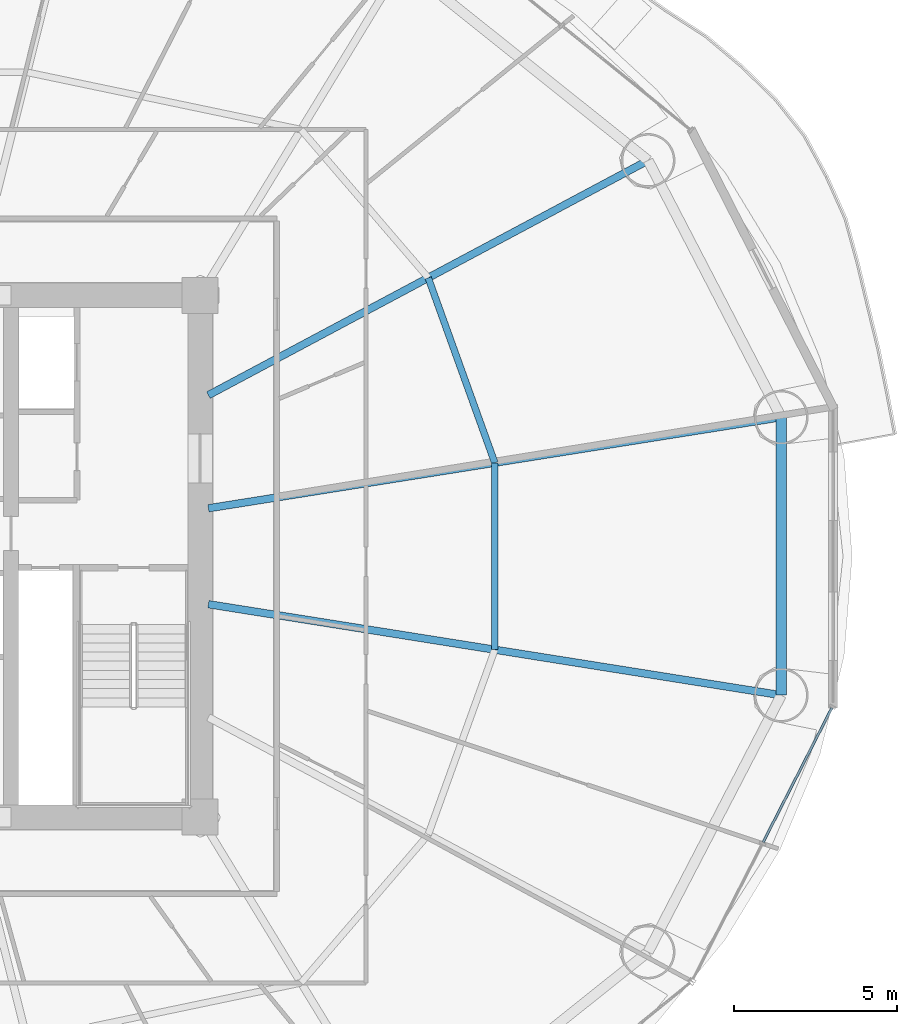
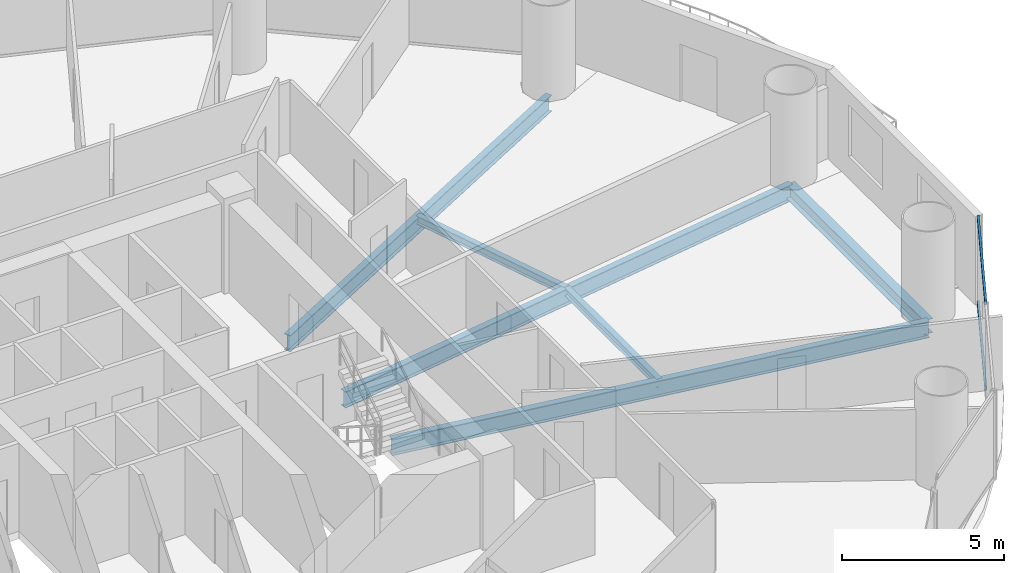
# One storey, part 11 of 28: 6 beams, 2 members, 1 element without a shape of its own.
"""IFC4 building model written with IfcOpenShell, lengths in metres."""

import ifcopenshell
import ifcopenshell.guid

model = None  # the IFC model being written
_history = None  # IfcOwnerHistory: only IFC2X3 demands one
_inside = {}  # id of a spatial element -> (the spatial element, [elements in it])
_under = {}  # id of a project, library or spatial element -> (it, [spatial elements below it])
_declared = {}  # id of a project -> (the project, [libraries it declares])
_typed = {}  # id of a type object -> (the type object, [elements of that type])
_made_of = {}  # id of a material, layer set ... -> (it, [elements and type objects made of it])


def new_model(schema):
    """Start an empty IFC model of exactly this schema.

    Asked for "IFC4X3", IfcOpenShell would pick the latest addendum, in which some entities
    have other attributes; the version numbers below select the first issue.
    IFC2X3 requires an IfcOwnerHistory on every rooted entity: one is made here for all.
    """
    global model, _history
    if schema == "IFC4X3":
        model = ifcopenshell.file(schema_version=(4, 3, 0, 0))
    else:
        model = ifcopenshell.file(schema=schema)
    _inside.clear()
    _under.clear()
    _declared.clear()
    _typed.clear()
    _made_of.clear()
    _history = None
    if model.schema == "IFC2X3":
        org = make("IfcOrganization", Name="unknown")
        user = make(
            "IfcPersonAndOrganization",
            ThePerson=make("IfcPerson", FamilyName="unknown"),
            TheOrganization=org,
        )
        app = make(
            "IfcApplication",
            ApplicationDeveloper=org,
            Version="unknown",
            ApplicationFullName="unknown",
            ApplicationIdentifier="unknown",
        )
        _history = make(
            "IfcOwnerHistory",
            OwningUser=user,
            OwningApplication=app,
            ChangeAction="ADDED",
            CreationDate=0,
        )
    return model


def make(cls, **values):
    """One entity of the class cls with the attributes given. An attribute that is None is left unset."""
    return model.create_entity(
        cls, **{name: value for name, value in values.items() if value is not None}
    )


def rooted(cls, **values):
    """An entity with a GlobalId (a new one), such as an element, a storey or a relation."""
    return make(cls, GlobalId=ifcopenshell.guid.new(), OwnerHistory=_history, **values)


def si_unit(unit_type, name, prefix=None):
    """IfcSIUnit, for example si_unit("LENGTHUNIT", "METRE", prefix="MILLI")."""
    return make("IfcSIUnit", UnitType=unit_type, Prefix=prefix, Name=name)


def assignment(units):
    """IfcUnitAssignment: the units of a project."""
    return None if units is None else make("IfcUnitAssignment", Units=units)


def point(xyz):
    """IfcCartesianPoint."""
    return None if xyz is None else make("IfcCartesianPoint", Coordinates=xyz)


def direction(xyz):
    """IfcDirection."""
    return None if xyz is None else make("IfcDirection", DirectionRatios=xyz)


def frame(location, z_axis=None, x_axis=None):
    """IfcAxis2Placement3D, a coordinate frame: its origin and axes. An axis left out is left unset."""
    return make(
        "IfcAxis2Placement3D",
        Location=point(location),
        Axis=direction(z_axis),
        RefDirection=direction(x_axis),
    )


def frame_2d(location, x_axis=None):
    """IfcAxis2Placement2D, a coordinate frame in the plane: its origin and x axis."""
    return make(
        "IfcAxis2Placement2D", Location=point(location), RefDirection=direction(x_axis)
    )


def origin():
    """The frame at (0, 0, 0) with its axes left unset."""
    return frame((0.0, 0.0, 0.0))


def origin_2d():
    """The frame at (0, 0) in the plane with its x axis left unset."""
    return frame_2d((0.0, 0.0))


def place(relative_to, where):
    """IfcLocalPlacement: puts the frame where relative to a parent placement (None: the world)."""
    return make(
        "IfcLocalPlacement", PlacementRelTo=relative_to, RelativePlacement=where
    )


def context(
    kind, dimensions, precision=None, world=None, true_north=None, identifier=None
):
    """IfcGeometricRepresentationContext, for example the 3D "Model" context."""
    return make(
        "IfcGeometricRepresentationContext",
        ContextIdentifier=identifier,
        ContextType=kind,
        CoordinateSpaceDimension=dimensions,
        Precision=precision,
        WorldCoordinateSystem=world,
        TrueNorth=true_north,
    )


def subcontext(parent, identifier, kind, view, scale=None):
    """IfcGeometricRepresentationSubContext, for example "Body" below "Model"."""
    return make(
        "IfcGeometricRepresentationSubContext",
        ContextIdentifier=identifier,
        ContextType=kind,
        ParentContext=parent,
        TargetScale=scale,
        TargetView=view,
    )


def project(units=None, contexts=None):
    """IfcProject with its units and contexts."""
    return rooted(
        "IfcProject",
        Name="project",
        RepresentationContexts=contexts,
        UnitsInContext=assignment(units),
    )


def spatial(cls, under=None, at=None, **own):
    """A site, building, storey or space (cls), placed at a placement, below another one or the project."""
    s = rooted(cls, ObjectPlacement=at, **own)
    if under is not None:
        _under.setdefault(under.id(), (under, []))[1].append(s)
    return s


def profile(cls, at=None, kind="AREA", **sizes):
    """A parametric profile (cls). Its sizes go by their IFC names, for example OverallWidth=200.0."""
    return make(cls, ProfileType=kind, Position=at, **sizes)


def hollow_rectangle(**sizes):
    """IfcRectangleHollowProfileDef."""
    return profile("IfcRectangleHollowProfileDef", **sizes)


def i_section(**sizes):
    """IfcIShapeProfileDef."""
    return profile("IfcIShapeProfileDef", **sizes)


def extrude(swept, where, along, depth):
    """IfcExtrudedAreaSolid: the profile swept, set in the frame where, extruded along a direction by depth."""
    return make(
        "IfcExtrudedAreaSolid",
        SweptArea=swept,
        Position=where,
        ExtrudedDirection=direction(along),
        Depth=depth,
    )


def shape(context_of_items, identifier, shape_type, items):
    """IfcShapeRepresentation: the items that make up one representation, for example the "Body"."""
    return make(
        "IfcShapeRepresentation",
        ContextOfItems=context_of_items,
        RepresentationIdentifier=identifier,
        RepresentationType=shape_type,
        Items=items,
    )


def source(mapping_origin, context_of_items, identifier, shape_type, items):
    """IfcRepresentationMap: a shape defined once, which mapped items show again and again."""
    return make(
        "IfcRepresentationMap",
        MappingOrigin=mapping_origin,
        MappedRepresentation=shape(context_of_items, identifier, shape_type, items),
    )


def transform(
    local_origin,
    x_axis=None,
    y_axis=None,
    z_axis=None,
    scale=None,
    scale2=None,
    scale3=None,
    uniform=True,
):
    """IfcCartesianTransformationOperator3D, or its non-uniform kind. x_axis, y_axis, z_axis: its Axis1, 2, 3."""
    if uniform:
        return make(
            "IfcCartesianTransformationOperator3D",
            Axis1=direction(x_axis),
            Axis2=direction(y_axis),
            LocalOrigin=point(local_origin),
            Scale=scale,
            Axis3=direction(z_axis),
        )
    return make(
        "IfcCartesianTransformationOperator3DnonUniform",
        Axis1=direction(x_axis),
        Axis2=direction(y_axis),
        LocalOrigin=point(local_origin),
        Scale=scale,
        Axis3=direction(z_axis),
        Scale2=scale2,
        Scale3=scale3,
    )


def mapped(mapping_source, mapping_target):
    """IfcMappedItem: shows the shape of a source again, moved by a transform."""
    return make(
        "IfcMappedItem", MappingSource=mapping_source, MappingTarget=mapping_target
    )


def material(Name=None, Category=None):
    """IfcMaterial."""
    return make("IfcMaterial", Name=Name, Category=Category)


def material_profile(
    of_material, cross_section, Name=None, Category=None, Priority=None
):
    """IfcMaterialProfile: a cross section and its material."""
    return make(
        "IfcMaterialProfile",
        Name=Name,
        Material=of_material,
        Profile=cross_section,
        Priority=Priority,
        Category=Category,
    )


def profile_set(profiles, Name=None, composite=None):
    """IfcMaterialProfileSet."""
    return make(
        "IfcMaterialProfileSet",
        Name=Name,
        MaterialProfiles=profiles,
        CompositeProfile=composite,
    )


def made_of(thing, what):
    """Note that an element or type object is made of a material, layer set ...; save() writes the relation."""
    if what is not None:
        _made_of.setdefault(what.id(), (what, []))[1].append(thing)
    return thing


def type_object(cls, material=None, **own):
    """A type object (cls), such as IfcWallType, which elements share."""
    return made_of(rooted(cls, **own), material)


def element(
    cls,
    number,
    at=None,
    inside=None,
    cuts=None,
    type_object=None,
    material=None,
    context=None,
    identifier="Body",
    shape_type=None,
    held_by="IfcProductDefinitionShape",
    body=None,
    shapes=None,
    **own,
):
    """One element of the class cls, such as IfcWall. Its Tag is "e" and its number.

    at: its placement. inside: the storey or other place that contains it. cuts: it is an
    opening in that element (IfcRelVoidsElement). A single representation is given by context,
    identifier, shape_type and body (its items); several are given by shapes. held_by: the class
    of the entity that holds the representations. save() writes the other relations.
    """
    e = rooted(cls, Tag="e%d" % number, ObjectPlacement=at, **own)
    if body is not None:
        shapes = [shape(context, identifier, shape_type, body)]
    if shapes is not None:
        e.Representation = make(held_by, Representations=shapes)
    if inside is not None:
        _inside.setdefault(inside.id(), (inside, []))[1].append(e)
    if cuts is not None:
        rooted(
            "IfcRelVoidsElement", RelatingBuildingElement=cuts, RelatedOpeningElement=e
        )
    if type_object is not None:
        _typed.setdefault(type_object.id(), (type_object, []))[1].append(e)
    return made_of(e, material)


def aggregate(whole, parts):
    """IfcRelAggregates: a whole, such as a stair, and the parts it consists of."""
    return rooted("IfcRelAggregates", RelatingObject=whole, RelatedObjects=parts)


def save(model, path):
    """Write the relations noted so far, then the file.

    IfcRelAggregates (storeys below a building ...), IfcRelContainedInSpatialStructure (elements
    in a storey), IfcRelDefinesByType, IfcRelAssociatesMaterial and IfcRelDeclares: one each for
    every whole, place, type object, material and project.
    """
    for whole, parts in _under.values():
        aggregate(whole, parts)
    for where, things in _inside.values():
        rooted(
            "IfcRelContainedInSpatialStructure",
            RelatedElements=things,
            RelatingStructure=where,
        )
    for kind, things in _typed.values():
        rooted("IfcRelDefinesByType", RelatedObjects=things, RelatingType=kind)
    for what, things in _made_of.values():
        rooted("IfcRelAssociatesMaterial", RelatedObjects=things, RelatingMaterial=what)
    for by, libraries in _declared.values():
        rooted("IfcRelDeclares", RelatingContext=by, RelatedDefinitions=libraries)
    model.write(path)


model = new_model("IFC4")

# Units and contexts
model_context = context("Model", 3, precision=1e-05, world=origin(), true_north=direction((-0.2419218956, 0.970295726276)))
body_context = subcontext(model_context, "Body", "Model", "MODEL_VIEW")
ifc_project = project(units=[si_unit("LENGTHUNIT", "METRE"), si_unit("AREAUNIT", "SQUARE_METRE"), si_unit("VOLUMEUNIT", "CUBIC_METRE"), si_unit("PLANEANGLEUNIT", "RADIAN"), si_unit("MASSUNIT", "GRAM", prefix="KILO")], contexts=[model_context])

# Site, building, storey
site_placement = place(None, origin())
site = spatial("IfcSite", under=ifc_project, at=site_placement, CompositionType="ELEMENT")
building_placement = place(site_placement, origin())
building = spatial("IfcBuilding", under=site, at=building_placement, Name="Cobrevalo Terracotta Tower", CompositionType="ELEMENT")
storey_placement = place(building_placement, frame((0.0, 0.0, 38.39990234375)))
storey = spatial("IfcBuildingStorey", under=building, at=storey_placement, Name="L09", CompositionType="ELEMENT", Elevation=38.39990234375)

# Beams
ifc_material_1 = material(Name="Steel S355", Category="steel")
ifc_material_profile_1 = material_profile(ifc_material_1, i_section(OverallWidth=0.22998046875, OverallDepth=0.616943359375, WebThickness=0.01318359375, FlangeThickness=0.022216796875, at=origin_2d()), Name="W 610x140")
ifc_profile_set_1 = profile_set([ifc_material_profile_1], Name="Steel S355")
beam_type_1 = type_object("IfcBeamType", Name="Structural Beam W 610x140 (Steel S355)", PredefinedType="BEAM", material=ifc_profile_set_1)
beam_1_placement = place(storey_placement, frame((64.824462890625, 31.062744140625, -0.58837890625), z_axis=(-0.987607924622, -0.156941349628, 0.0), x_axis=(0.156941349628, -0.987607924622, 0.0)))
element("IfcBeam", 1, at=beam_1_placement, inside=storey, type_object=beam_type_1, Name="L09 radial floor girder 01", PredefinedType="BEAM", context=body_context, shape_type="SweptSolid", body=[
    extrude(i_section(OverallWidth=0.22998046875, OverallDepth=0.616943359375, WebThickness=0.01318359375, FlangeThickness=0.022216796875, at=origin_2d()), origin(), (0.0, 0.0, 1.0), 17.7900390625),
])
beam_2_placement = place(storey_placement, frame((60.74072265625, 38.939208984375, -0.58837890625), z_axis=(-0.88218223571, -0.470908168329, 0.0), x_axis=(0.470908168329, -0.88218223571, 0.0)))
element("IfcBeam", 2, at=beam_2_placement, inside=storey, type_object=beam_type_1, Name="L09 radial floor girder 02", PredefinedType="BEAM", context=body_context, shape_type="SweptSolid", body=[
    extrude(i_section(OverallWidth=0.22998046875, OverallDepth=0.616943359375, WebThickness=0.01318359375, FlangeThickness=0.022216796875, at=origin_2d()), origin(), (0.0, 0.0, 1.0), 15.286865234375),
])
beam_3_placement = place(storey_placement, frame((64.824462890625, 22.537353515625, -0.58837890625), z_axis=(-0.987607924622, 0.156941349628, 0.0), x_axis=(-0.156941349628, -0.987607924622, 0.0)))
element("IfcBeam", 3, at=beam_3_placement, inside=storey, type_object=beam_type_1, Name="L09 radial floor girder 16", PredefinedType="BEAM", context=body_context, shape_type="SweptSolid", body=[
    extrude(i_section(OverallWidth=0.22998046875, OverallDepth=0.616943359375, WebThickness=0.01318359375, FlangeThickness=0.022216796875, at=origin_2d()), origin(), (0.0, 0.0, 1.0), 17.7900390625),
])
ifc_material_profile_2 = material_profile(ifc_material_1, i_section(OverallWidth=0.2041015625, OverallDepth=0.305908203125, WebThickness=0.008544921875, FlangeThickness=0.0146484375, at=origin_2d()), Name="W 310x67")
ifc_profile_set_2 = profile_set([ifc_material_profile_2], Name="Steel S355")
beam_type_2 = type_object("IfcBeamType", Name="Structural Joist W 310x67 (Steel S355)", PredefinedType="JOIST", material=ifc_profile_set_2)
beam_4_placement = place(storey_placement, frame((56.039794921875, 29.666748046875, -0.432861328125), z_axis=(-0.338672151116, 0.940904444701, 0.0), x_axis=(-0.940904444701, -0.338672151116, 0.0)))
element("IfcBeam", 4, at=beam_4_placement, inside=storey, type_object=beam_type_2, Name="L09 circumferential secondary floor joist 01", PredefinedType="JOIST", context=body_context, shape_type="SweptSolid", body=[
    extrude(i_section(OverallWidth=0.2041015625, OverallDepth=0.305908203125, WebThickness=0.008544921875, FlangeThickness=0.0146484375, at=origin_2d()), origin(), (0.0, 0.0, 1.0), 6.029296875),
])
beam_5_placement = place(storey_placement, frame((56.039794921875, 23.933349609375, -0.432861328125), z_axis=(0.0, 1.0, 0.0), x_axis=(-1.0, 0.0, 0.0)))
element("IfcBeam", 5, at=beam_5_placement, inside=storey, type_object=beam_type_2, Name="L09 circumferential secondary floor joist 16", PredefinedType="JOIST", context=body_context, shape_type="SweptSolid", body=[
    extrude(i_section(OverallWidth=0.2041015625, OverallDepth=0.305908203125, WebThickness=0.008544921875, FlangeThickness=0.0146484375, at=origin_2d()), origin(), (0.0, 0.0, 1.0), 5.7333984375),
])
ifc_material_profile_3 = material_profile(ifc_material_1, i_section(OverallWidth=0.31201171875, OverallDepth=0.54296875, WebThickness=0.0126953125, FlangeThickness=0.020263671875, at=origin_2d()), Name="W 530x150")
ifc_profile_set_3 = profile_set([ifc_material_profile_3], Name="Steel S355")
beam_type_3 = type_object("IfcBeamType", Name="Structural Spandrel W 530x150 (Steel S355)", PredefinedType="SPANDREL", material=ifc_profile_set_3)
beam_6_placement = place(storey_placement, frame((64.824462890625, 22.537353515625, -0.551513671875), z_axis=(0.0, 1.0, 0.0), x_axis=(-1.0, 0.0, 0.0)))
element("IfcBeam", 6, at=beam_6_placement, inside=storey, type_object=beam_type_3, Name="L09 perimeter ring spandrel 16", PredefinedType="SPANDREL", context=body_context, shape_type="SweptSolid", body=[
    extrude(i_section(OverallWidth=0.31201171875, OverallDepth=0.54296875, WebThickness=0.0126953125, FlangeThickness=0.020263671875, at=origin_2d()), origin(), (0.0, 0.0, 1.0), 8.525390625),
])

# Curtain wall, members
ifc_material_2 = material(Name="Anodized aluminium", Category="aluminium")
curtain_wall_type = type_object("IfcCurtainWallType", Name="Lower-tower unitised acoustic low-E curtain wall CW-U1", PredefinedType="NOTDEFINED", material=ifc_material_2)
curtain_wall_placement = place(storey_placement, origin())
curtain_wall = element("IfcCurtainWall", 7, at=curtain_wall_placement, inside=storey, type_object=curtain_wall_type, Name="L09 curtain wall CW-L09-S15", PredefinedType="NOTDEFINED")
ifc_material_profile_4 = material_profile(ifc_material_2, hollow_rectangle(XDim=0.074951171875, YDim=0.14990234375, WallThickness=0.00439453125, at=origin_2d()), Name="CWT 75x150")
ifc_profile_set_4 = profile_set([ifc_material_profile_4], Name="Anodized aluminium")
member_type = type_object("IfcMemberType", Name="Tower unitised aluminium transom 75x150", PredefinedType="USERDEFINED", material=ifc_profile_set_4)
shared_shape = source(origin(), body_context, "Body", "SweptSolid", [
    extrude(hollow_rectangle(XDim=0.074951171875, YDim=0.14990234375, WallThickness=0.00439453125, at=origin_2d()), origin(), (0.0, 0.0, 1.0), 4.630859375),
])
member_1_placement = place(storey_placement, frame((64.268798828125, 18.026611328125, 0.050048828125), z_axis=(0.455229952508, 0.890373904795, 0.0), x_axis=(-0.890373904795, 0.455229952508, 0.0)))
member_1 = element("IfcMember", 8, at=member_1_placement, type_object=member_type, Name="CW-L09-S15 transom B02-T1", ObjectType="TRANSOM", PredefinedType="USERDEFINED", context=body_context, shape_type="MappedRepresentation", body=[
    mapped(shared_shape, transform((0.0, 0.0, 0.0), scale=1.0)),
])
member_2_placement = place(storey_placement, frame((64.268798828125, 18.026611328125, 3.27001953125), z_axis=(0.455229952508, 0.890373904795, 0.0), x_axis=(-0.890373904795, 0.455229952508, 0.0)))
member_2 = element("IfcMember", 9, at=member_2_placement, type_object=member_type, Name="CW-L09-S15 transom B02-T2", ObjectType="TRANSOM", PredefinedType="USERDEFINED", context=body_context, shape_type="MappedRepresentation", body=[
    mapped(shared_shape, transform((0.0, 0.0, 0.0), scale=1.0)),
])
aggregate(curtain_wall, [member_1, member_2])

save(model, "model.ifc")
